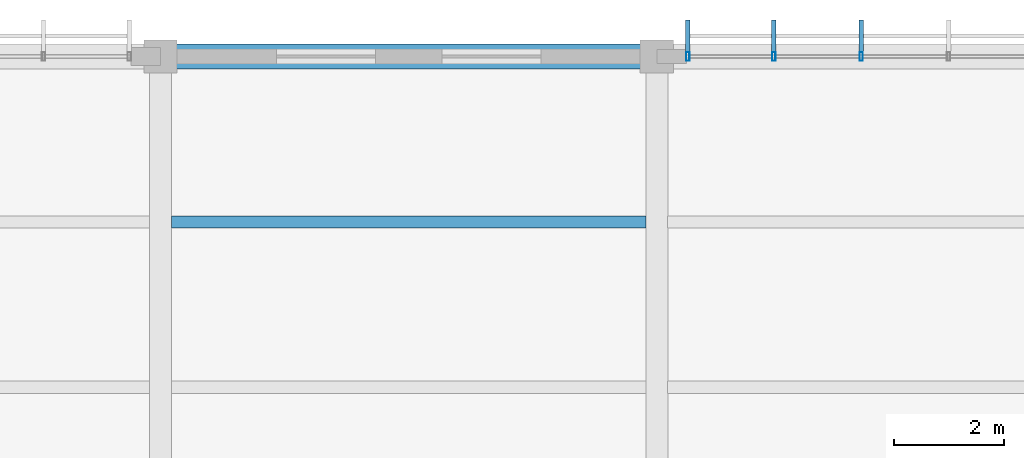
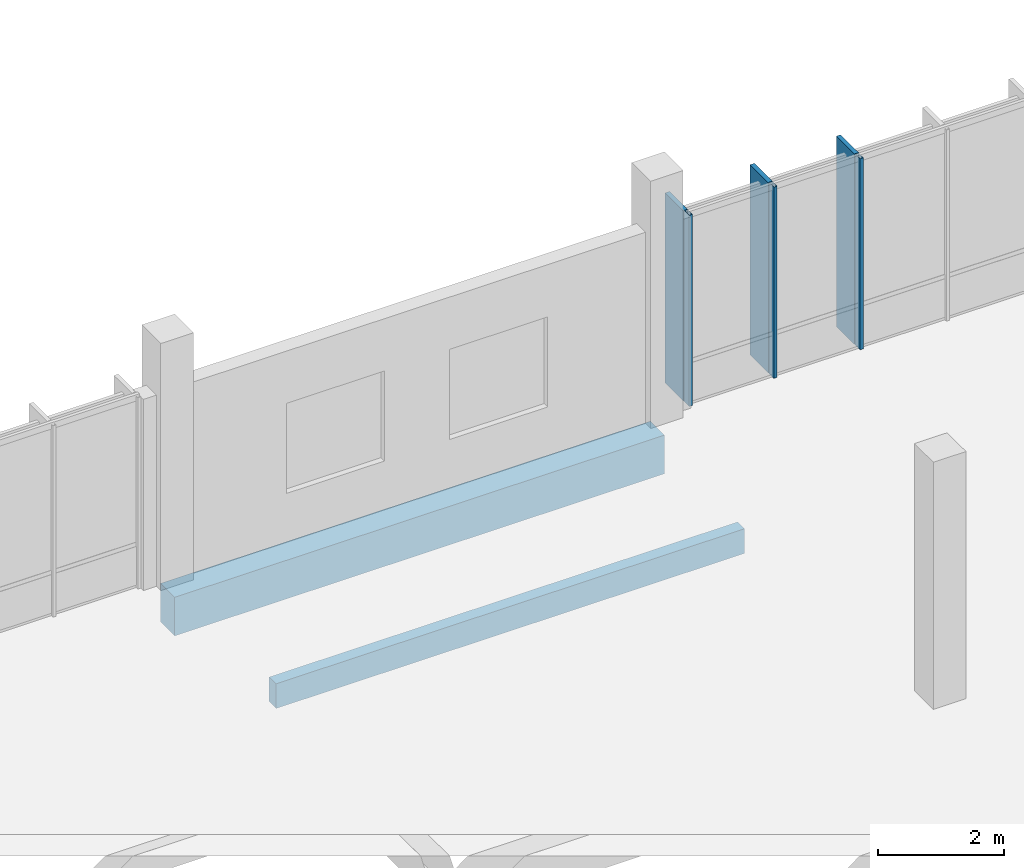
# One storey, part 130 of 177: 6 members, 2 beams, 1 element without a shape of its own.
"""IFC4 building model written with IfcOpenShell, lengths in metres."""

from ifc_helpers import new_model, si_unit, direction, frame, origin, origin_2d, place, context, subcontext, project, spatial, rectangle, hollow_rectangle, extrude, material, material_profile, profile_set, type_object, element, aggregate, save


model = new_model("IFC4")

# Units and contexts
model_context = context("Model", 3, precision=1e-05, world=origin(), true_north=direction((0.0, 1.0)))
body_context = subcontext(model_context, "Body", "Model", "MODEL_VIEW")
ifc_project = project(units=[si_unit("LENGTHUNIT", "METRE"), si_unit("AREAUNIT", "SQUARE_METRE"), si_unit("VOLUMEUNIT", "CUBIC_METRE"), si_unit("PLANEANGLEUNIT", "RADIAN"), si_unit("MASSUNIT", "GRAM", prefix="KILO")], contexts=[model_context])

# Site, building, storey
site_placement = place(None, origin())
site = spatial("IfcSite", under=ifc_project, at=site_placement, CompositionType="ELEMENT")
building_placement = place(site_placement, origin())
building = spatial("IfcBuilding", under=site, at=building_placement, Name="Chiffa Square Polytechnic", CompositionType="ELEMENT")
storey_placement = place(building_placement, frame((0.0, 0.0, 4.800048828125)))
storey = spatial("IfcBuildingStorey", under=building, at=storey_placement, Name="L01", CompositionType="ELEMENT", Elevation=4.800048828125)

# Beam
ifc_material_1 = material(Name="Concrete C35/45", Category="concrete")
ifc_material_profile_1 = material_profile(ifc_material_1, rectangle(XDim=0.449951171875, YDim=0.75, at=origin_2d()), Name="RC 450x750")
ifc_profile_set_1 = profile_set([ifc_material_profile_1], Name="Concrete C35/45")
beam_type_1 = type_object("IfcBeamType", Name="BM-RC-450X750", PredefinedType="BEAM", material=ifc_profile_set_1)
beam_1_placement = place(storey_placement, frame((130.199951171875, 130.800048828125, -0.655029296875), z_axis=(1.0, 0.0, 0.0), x_axis=(0.0, 1.0, 0.0)))
element("IfcBeam", 1, at=beam_1_placement, inside=storey, type_object=beam_type_1, Name="Primary floor girder BM-V5-L01-X-1302-1308", PredefinedType="BEAM", context=body_context, shape_type="SweptSolid", body=[
    extrude(rectangle(XDim=0.449951171875, YDim=0.75, at=origin_2d()), origin(), (0.0, 0.0, 1.0), 9.0),
])

# Curtain wall, members
ifc_material_2 = material(Name="Aluminium EN AW-6060 T66 and glulam shading", Category="wood")
curtain_wall_type = type_object("IfcCurtainWallType", Name="CW-VERT-300X380", PredefinedType="USERDEFINED", material=ifc_material_2)
curtain_wall_placement = place(storey_placement, origin())
curtain_wall = element("IfcCurtainWall", 2, at=curtain_wall_placement, inside=storey, type_object=curtain_wall_type, Name="Curtain wall CW-V5-L01-203", ObjectType="CURTAIN WALL", PredefinedType="USERDEFINED")
ifc_material_3 = material(Name="Aluminium EN AW-6060 T66", Category="aluminium")
ifc_material_profile_2 = material_profile(ifc_material_3, hollow_rectangle(XDim=0.06005859375, YDim=0.159912109375, WallThickness=0.00390625, at=origin_2d()), Name="ALU 60x160x4")
ifc_profile_set_2 = profile_set([ifc_material_profile_2], Name="Aluminium EN AW-6060 T66")
member_type_1 = type_object("IfcMemberType", Name="CWM-ALU-65X150", PredefinedType="MULLION", material=ifc_profile_set_2)
member_1_placement = place(storey_placement, frame((142.907958984375, 130.800048828125, 0.0), z_axis=(0.0, 0.0, 1.0), x_axis=(1.0, 0.0, 0.0)))
member_1 = element("IfcMember", 3, at=member_1_placement, type_object=member_type_1, Name="Curtain wall mullion CW-V5-L01-203-M03", PredefinedType="MULLION", context=body_context, shape_type="SweptSolid", body=[
    extrude(hollow_rectangle(XDim=0.06005859375, YDim=0.159912109375, WallThickness=0.00390625, at=origin_2d()), origin(), (0.0, 0.0, 1.0), 3.71484375),
])
member_2_placement = place(storey_placement, frame((141.323974609375, 130.800048828125, 0.0), z_axis=(0.0, 0.0, 1.0), x_axis=(1.0, 0.0, 0.0)))
member_2 = element("IfcMember", 4, at=member_2_placement, type_object=member_type_1, Name="Curtain wall mullion CW-V5-L01-203-M04", PredefinedType="MULLION", context=body_context, shape_type="SweptSolid", body=[
    extrude(hollow_rectangle(XDim=0.06005859375, YDim=0.159912109375, WallThickness=0.00390625, at=origin_2d()), origin(), (0.0, 0.0, 1.0), 3.71484375),
])
member_3_placement = place(storey_placement, frame((139.764892578125, 130.800048828125, 0.0), z_axis=(0.0, 0.0, 1.0), x_axis=(1.0, 0.0, 0.0)))
member_3 = element("IfcMember", 5, at=member_3_placement, type_object=member_type_1, Name="Curtain wall mullion CW-V5-L01-203-M05", PredefinedType="MULLION", context=body_context, shape_type="SweptSolid", body=[
    extrude(hollow_rectangle(XDim=0.06005859375, YDim=0.159912109375, WallThickness=0.00390625, at=origin_2d()), origin(), (0.0, 0.0, 1.0), 3.71484375),
])
ifc_material_4 = material(Name="Glulam GL28h", Category="wood")
ifc_material_profile_3 = material_profile(ifc_material_4, rectangle(XDim=0.080078125, YDim=0.580078125, at=origin_2d()), Name="GL28h 80x580")
ifc_profile_set_3 = profile_set([ifc_material_profile_3], Name="Glulam GL28h")
member_type_2 = type_object("IfcMemberType", Name="CWM-GL-80X580", PredefinedType="MULLION", material=ifc_profile_set_3)
member_4_placement = place(storey_placement, frame((142.907958984375, 131.172119140625, 0.010009765625), z_axis=(0.0, 0.0, 1.0), x_axis=(-1.0, 0.0, 0.0)))
member_4 = element("IfcMember", 6, at=member_4_placement, type_object=member_type_2, Name="Exterior glulam solar fin CW-V5-L01-203-FN03", PredefinedType="MULLION", context=body_context, shape_type="SweptSolid", body=[
    extrude(rectangle(XDim=0.080078125, YDim=0.580078125, at=origin_2d()), origin(), (0.0, 0.0, 1.0), 3.69482421875),
])
member_5_placement = place(storey_placement, frame((141.323974609375, 131.172119140625, 0.010009765625), z_axis=(0.0, 0.0, 1.0), x_axis=(-1.0, 0.0, 0.0)))
member_5 = element("IfcMember", 7, at=member_5_placement, type_object=member_type_2, Name="Exterior glulam solar fin CW-V5-L01-203-FN04", PredefinedType="MULLION", context=body_context, shape_type="SweptSolid", body=[
    extrude(rectangle(XDim=0.080078125, YDim=0.580078125, at=origin_2d()), origin(), (0.0, 0.0, 1.0), 3.69482421875),
])
member_6_placement = place(storey_placement, frame((139.764892578125, 131.172119140625, 0.010009765625), z_axis=(0.0, 0.0, 1.0), x_axis=(-1.0, 0.0, 0.0)))
member_6 = element("IfcMember", 8, at=member_6_placement, type_object=member_type_2, Name="Exterior glulam solar fin CW-V5-L01-203-FN05", PredefinedType="MULLION", context=body_context, shape_type="SweptSolid", body=[
    extrude(rectangle(XDim=0.080078125, YDim=0.580078125, at=origin_2d()), origin(), (0.0, 0.0, 1.0), 3.69482421875),
])
aggregate(curtain_wall, [member_1, member_4, member_2, member_5, member_3, member_6])

# Beam
ifc_material_profile_4 = material_profile(ifc_material_4, rectangle(XDim=0.219970703125, YDim=0.47998046875, at=origin_2d()), Name="GL28h 220x480")
ifc_profile_set_4 = profile_set([ifc_material_profile_4], Name="Glulam GL28h")
beam_type_2 = type_object("IfcBeamType", Name="JST-GL-220X480", PredefinedType="JOIST", material=ifc_profile_set_4)
beam_2_placement = place(storey_placement, frame((130.39794921875, 127.800048828125, -0.52001953125), z_axis=(1.0, 0.0, 0.0), x_axis=(0.0, 1.0, 0.0)))
element("IfcBeam", 9, at=beam_2_placement, inside=storey, type_object=beam_type_2, Name="Secondary floor joist JST-V5-L01-1302-1278", PredefinedType="JOIST", context=body_context, shape_type="SweptSolid", body=[
    extrude(rectangle(XDim=0.219970703125, YDim=0.47998046875, at=origin_2d()), origin(), (0.0, 0.0, 1.0), 8.60400390625),
])

save(model, "model.ifc")
